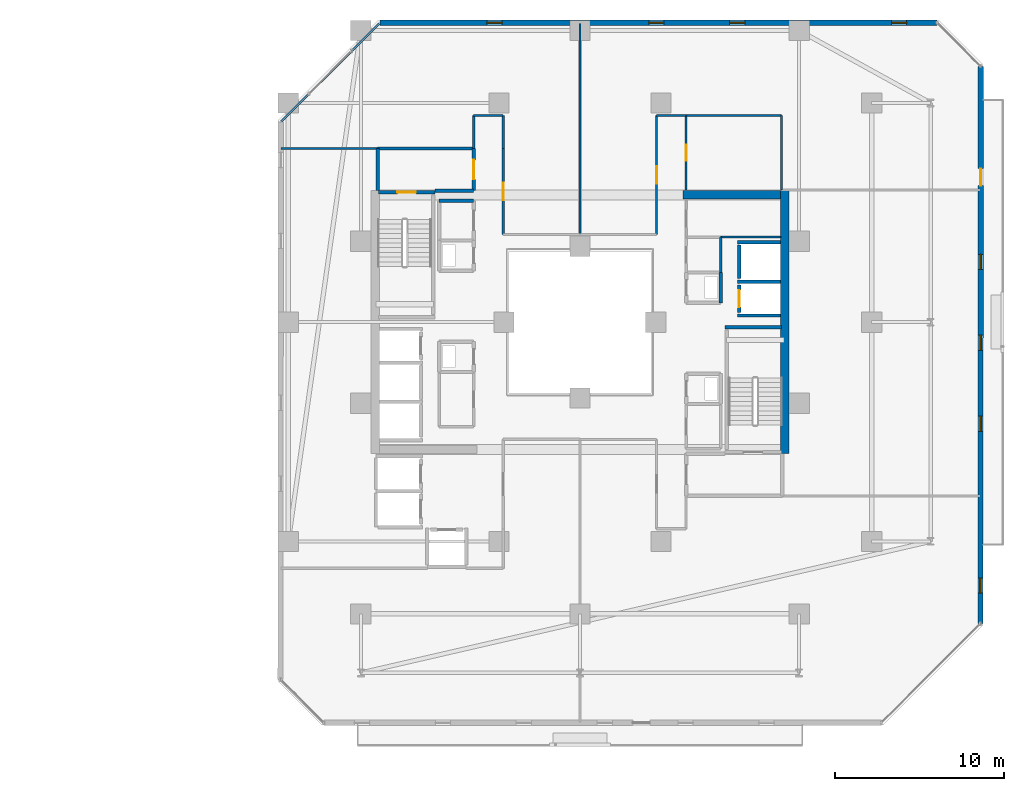
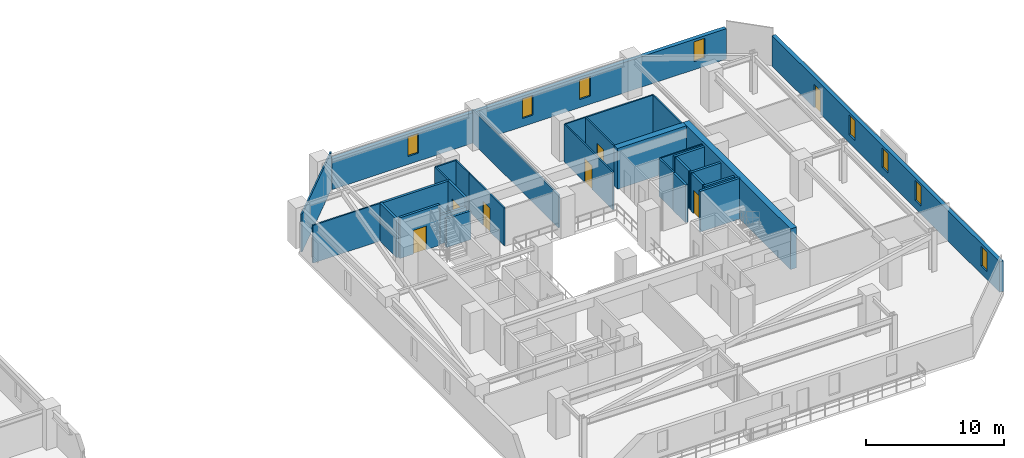
# One storey, part 24 of 32: 31 walls, 8 windows, 7 doors, 15 openings.
"""IFC4 building model written with IfcOpenShell, lengths in metres."""

from ifc_helpers import new_model, si_unit, direction, frame, frame_2d, origin, place, context, subcontext, project, spatial, rectangle, extrude, material, layer, layer_set, type_object, element, fill, save


model = new_model("IFC4")

# Units and contexts
model_context = context("Model", 3, precision=1e-05, world=origin(), true_north=direction((0.0, 1.0)))
body_context = subcontext(model_context, "Body", "Model", "MODEL_VIEW")
ifc_project = project(units=[si_unit("LENGTHUNIT", "METRE"), si_unit("AREAUNIT", "SQUARE_METRE"), si_unit("VOLUMEUNIT", "CUBIC_METRE"), si_unit("PLANEANGLEUNIT", "RADIAN"), si_unit("MASSUNIT", "GRAM", prefix="KILO")], contexts=[model_context])

# Site, building, storey
site_placement = place(None, origin())
site = spatial("IfcSite", under=ifc_project, at=site_placement, CompositionType="ELEMENT")
building_placement = place(site_placement, origin())
building = spatial("IfcBuilding", under=site, at=building_placement, Name="Thornwick Lancets Civic Towers", CompositionType="ELEMENT")
storey_placement = place(building_placement, frame((0.0, 0.0, 123.300048828125)))
storey = spatial("IfcBuildingStorey", under=building, at=storey_placement, Name="L32", CompositionType="ELEMENT", Elevation=123.300048828125)

# Wall, opening, door
ifc_material_1 = material(Name="Concrete blockwork C40/50", Category="masonry")
ifc_layer_1 = layer(ifc_material_1, 0.199951171875, Name="Concrete blockwork C40/50")
ifc_layer_set_1 = layer_set([ifc_layer_1], Name="Concrete blockwork C40/50")
wall_type_1 = type_object("IfcWallType", Name="WALL_COMP_200", PredefinedType="STANDARD", material=ifc_layer_set_1)
wall_1_placement = place(storey_placement, frame((97.949951171875, 29.219970703125, 0.0), z_axis=(0.0, 0.0, 1.0), x_axis=(0.0, -1.0, 0.0)))
wall_1 = element("IfcWall", 1, at=wall_1_placement, inside=storey, type_object=wall_type_1, Name="L32 Hoistway Front Wall FL-B1", PredefinedType="STANDARD", context=body_context, shape_type="SweptSolid", body=[
    extrude(rectangle(XDim=1.639892578125, YDim=0.199951171875, at=frame_2d((0.81982421875, 0.0))), origin(), (0.0, 0.0, 1.0), 3.33984375),
])
opening_1_placement = place(wall_1_placement, frame((0.31005859375, 0.0, 0.0)))
opening_1 = element("IfcOpeningElement", 2, at=opening_1_placement, cuts=wall_1, Name="Opening LD-FL-B1", PredefinedType="OPENING", context=body_context, shape_type="SweptSolid", body=[
    extrude(rectangle(XDim=1.02001953125, YDim=2.06005859375, at=frame_2d((0.510009765625, 1.030029296875))), frame((0.0, 0.10986328125, 0.0), z_axis=(0.0, -1.0, 0.0), x_axis=(1.0, 0.0, 0.0)), (0.0, 0.0, 1.0), 0.219970703125),
])
ifc_material_2 = material(Name="Brushed bronze stainless steel", Category="steel")
door_type_1 = type_object("IfcDoorType", Name="DOOR_LIFT_SLIDE", OperationType="SLIDING_TO_LEFT", PredefinedType="DOOR", material=ifc_material_2)
door_1_placement = place(opening_1_placement, origin())
door_1 = element("IfcDoor", 3, at=door_1_placement, inside=storey, type_object=door_type_1, Name="L32 Sliding Lift Landing Door LD-FL-B1", OperationType="SLIDING_TO_LEFT", OverallHeight=2.06005859375, OverallWidth=1.02001953125, PredefinedType="DOOR", context=body_context, shape_type="SweptSolid", body=[
    extrude(rectangle(XDim=1.02001953125, YDim=2.06005859375, at=frame_2d((0.510009765625, 1.030029296875))), frame((0.0, 0.02490234375, 0.0), z_axis=(0.0, -1.0, 0.0), x_axis=(1.0, 0.0, 0.0)), (0.0, 0.0, 1.0), 0.050048828125),
])
fill(opening_1, door_1)

# Walls
wall_2_placement = place(storey_placement, frame((97.949951171875, 31.570068359375, 0.0), z_axis=(0.0, 0.0, 1.0), x_axis=(0.0, -1.0, 0.0)))
element("IfcWall", 4, at=wall_2_placement, inside=storey, type_object=wall_type_1, Name="L32 Hoistway Front Wall PL-BH1", PredefinedType="STANDARD", context=body_context, shape_type="SweptSolid", body=[
    extrude(rectangle(XDim=1.989990234375, YDim=0.199951171875, at=frame_2d((0.9951171875, 0.0))), origin(), (0.0, 0.0, 1.0), 3.33984375),
])
for number, where, z_axis, x_axis, name in (
    (5, (97.85205078125, 29.39990234375, 0.0), (0.0, 0.0, 1.0), (1.0, 0.0, 0.0), "L32 Hoistway Shaft Wall FL-B1 N"),
    (6, (97.85205078125, 27.39990234375, 0.0), (0.0, 0.0, 1.0), (1.0, 0.0, 0.0), "L32 Hoistway Shaft Wall FL-B1 S"),
    (7, (97.85205078125, 31.75, 0.0), (0.0, 0.0, 1.0), (1.0, 0.0, 0.0), "L32 Hoistway Shaft Wall PL-BH1 N"),
):
    element("IfcWall", number, at=place(storey_placement, frame(where, z_axis=z_axis, x_axis=x_axis)), inside=storey, type_object=wall_type_1, Name=name, PredefinedType="STANDARD", context=body_context, shape_type="SweptSolid", body=[
        extrude(rectangle(XDim=2.535888671875, YDim=0.199951171875, at=frame_2d((1.26806640625, 0.0))), origin(), (0.0, 0.0, 1.0), 3.33984375),
    ])
wall_3_placement = place(storey_placement, frame((79.89990234375, 34.800048828125, 0.0), z_axis=(0.0, 0.0, 1.0), x_axis=(1.0, 0.0, 0.0)))
element("IfcWall", 8, at=wall_3_placement, inside=storey, type_object=wall_type_1, Name="L32 Partition L32-B-FFLOB2 E1", PredefinedType="STANDARD", context=body_context, shape_type="SweptSolid", body=[
    extrude(rectangle(XDim=2.300048828125, YDim=0.199951171875, at=frame_2d((1.14990234375, 0.0))), origin(), (0.0, 0.0, 1.0), 2.544921875),
])

# Wall, opening, door
wall_4_placement = place(storey_placement, frame((82.199951171875, 34.800048828125, 0.0), z_axis=(0.0, 0.0, 1.0), x_axis=(0.0, 1.0, 0.0)))
wall_4 = element("IfcWall", 9, at=wall_4_placement, inside=storey, type_object=wall_type_1, Name="L32 Partition L32-B-FFLOB2 E2", PredefinedType="STANDARD", context=body_context, shape_type="SweptSolid", body=[
    extrude(rectangle(XDim=2.5, YDim=0.199951171875, at=frame_2d((1.25, 0.0))), origin(), (0.0, 0.0, 1.0), 3.33984375),
])
opening_2_placement = place(wall_4_placement, frame((0.675048828125, 0.0, 0.0)))
opening_2 = element("IfcOpeningElement", 10, at=opening_2_placement, cuts=wall_4, Name="Opening D-L32-1469", PredefinedType="OPENING", context=body_context, shape_type="SweptSolid", body=[
    extrude(rectangle(XDim=1.14990234375, YDim=2.10009765625, at=frame_2d((0.574951171875, 1.050048828125))), frame((0.0, 0.10986328125, 0.0), z_axis=(0.0, -1.0, 0.0), x_axis=(1.0, 0.0, 0.0)), (0.0, 0.0, 1.0), 0.219970703125),
])
ifc_material_3 = material(Name="Glazed fire-resisting steel", Category="steel")
door_type_2 = type_object("IfcDoorType", Name="DOOR_LOBBY_FD60", OperationType="NOTDEFINED", PredefinedType="DOOR", material=ifc_material_3)
door_2_placement = place(opening_2_placement, origin())
door_2 = element("IfcDoor", 11, at=door_2_placement, inside=storey, type_object=door_type_2, Name="L32 West Firefighting Lobby 2 Door", OperationType="SINGLE_SWING_RIGHT", OverallHeight=2.10009765625, OverallWidth=1.14990234375, PredefinedType="DOOR", context=body_context, shape_type="SweptSolid", body=[
    extrude(rectangle(XDim=1.14990234375, YDim=2.10009765625, at=frame_2d((0.574951171875, 1.050048828125))), frame((0.0, 0.02490234375, 0.0), z_axis=(0.0, -1.0, 0.0), x_axis=(1.0, 0.0, 0.0)), (0.0, 0.0, 1.0), 0.050048828125),
])
fill(opening_2, door_2)

# Walls
wall_5_placement = place(storey_placement, frame((82.199951171875, 37.300048828125, 0.0), z_axis=(0.0, 0.0, 1.0), x_axis=(-1.0, 0.0, 0.0)))
element("IfcWall", 12, at=wall_5_placement, inside=storey, type_object=wall_type_1, Name="L32 Partition L32-B-FFLOB2 E3", PredefinedType="STANDARD", context=body_context, shape_type="SweptSolid", body=[
    extrude(rectangle(XDim=5.699951171875, YDim=0.199951171875, at=frame_2d((2.85009765625, 0.0))), origin(), (0.0, 0.0, 1.0), 3.33984375),
])
wall_6_placement = place(storey_placement, frame((76.5, 37.300048828125, 0.0), z_axis=(0.0, 0.0, 1.0), x_axis=(0.0, -1.0, 0.0)))
element("IfcWall", 13, at=wall_6_placement, inside=storey, type_object=wall_type_1, Name="L32 Partition L32-B-FFLOB2 E4", PredefinedType="STANDARD", context=body_context, shape_type="SweptSolid", body=[
    extrude(rectangle(XDim=2.5, YDim=0.199951171875, at=frame_2d((1.25, 0.0))), origin(), (0.0, 0.0, 1.0), 3.33984375),
])
wall_7_placement = place(storey_placement, frame((96.85009765625, 28.14990234375, 0.0), z_axis=(0.0, 0.0, 1.0), x_axis=(0.0, 1.0, 0.0)))
element("IfcWall", 14, at=wall_7_placement, inside=storey, type_object=wall_type_1, Name="L32 Partition L32-B-DUCT1 E2", PredefinedType="STANDARD", context=body_context, shape_type="SweptSolid", body=[
    extrude(rectangle(XDim=1.800048828125, YDim=0.199951171875, at=frame_2d((0.89990234375, 0.0))), origin(), (0.0, 0.0, 1.0), 3.33984375),
])
wall_8_placement = place(storey_placement, frame((80.14990234375, 34.199951171875, 0.0), z_axis=(0.0, 0.0, 1.0), x_axis=(1.0, 0.0, 0.0)))
element("IfcWall", 15, at=wall_8_placement, inside=storey, type_object=wall_type_1, Name="L32 Partition L32-B-STR E2", PredefinedType="STANDARD", context=body_context, shape_type="SweptSolid", body=[
    extrude(rectangle(XDim=2.050048828125, YDim=0.199951171875, at=frame_2d((1.02490234375, 0.0))), origin(), (0.0, 0.0, 1.0), 2.544921875),
])
ifc_material_4 = material(Name="Concrete C50/60", Category="concrete")
ifc_layer_2 = layer(ifc_material_4, 0.5, Name="Concrete C50/60")
ifc_layer_set_2 = layer_set([ifc_layer_2], Name="Concrete C50/60")
wall_type_2 = type_object("IfcWallType", Name="WALL_CORE_500", PredefinedType="SHEAR", material=ifc_layer_set_2)
wall_9_placement = place(storey_placement, frame((100.64990234375, 19.199951171875, 0.0), z_axis=(0.0, 0.0, 1.0), x_axis=(0.0, 1.0, 0.0)))
element("IfcWall", 16, at=wall_9_placement, inside=storey, type_object=wall_type_2, Name="L32 Split Core B1 Shear Wall E", PredefinedType="SHEAR", context=body_context, shape_type="SweptSolid", body=[
    extrude(rectangle(XDim=15.60009765625, YDim=0.5, at=frame_2d((7.800048828125, 0.0))), origin(), (0.0, 0.0, 1.0), 3.599853515625),
])
wall_10_placement = place(storey_placement, frame((94.60009765625, 34.550048828125, 0.0), z_axis=(0.0, 0.0, 1.0), x_axis=(1.0, 0.0, 0.0)))
element("IfcWall", 17, at=wall_10_placement, inside=storey, type_object=wall_type_2, Name="L32 Split Core B1 Shear Wall N", PredefinedType="SHEAR", context=body_context, shape_type="SweptSolid", body=[
    extrude(rectangle(XDim=5.7998046875, YDim=0.5, at=frame_2d((2.89990234375, 0.0))), origin(), (0.0, 0.0, 1.0), 3.599853515625),
])

# Wall, openings, door, windows
ifc_material_5 = material(Name="Insulated buff terracotta rainscreen on concrete C40/50", Category="masonry")
ifc_layer_3 = layer(ifc_material_5, 0.320068359375, Name="Insulated buff terracotta rainscreen on concrete C40/50")
ifc_layer_set_3 = layer_set([ifc_layer_3], Name="Insulated buff terracotta rainscreen on concrete C40/50")
wall_type_3 = type_object("IfcWallType", Name="WALL_EXT_TERRA_320", PredefinedType="STANDARD", material=ifc_layer_set_3)
wall_11_placement = place(storey_placement, frame((112.253662109375, 9.127685546875, 0.0), z_axis=(0.0, 0.0, 1.0), x_axis=(0.000332378036, 0.999999944762, 0.0)))
wall_11 = element("IfcWall", 18, at=wall_11_placement, inside=storey, type_object=wall_type_3, Name="L32 Tower B Terracotta Facade Wall E2", PredefinedType="STANDARD", context=body_context, shape_type="SweptSolid", body=[
    extrude(rectangle(XDim=33.0537109375, YDim=0.320068359375, at=frame_2d((16.52685546875, 0.0))), origin(), (0.0, 0.0, 1.0), 2.699951171875),
])
opening_3_placement = place(wall_11_placement, frame((25.976806640625, 0.0, 0.0)))
opening_3 = element("IfcOpeningElement", 19, at=opening_3_placement, cuts=wall_11, Name="Opening D-BL-L32-BE", PredefinedType="OPENING", context=body_context, shape_type="SweptSolid", body=[
    extrude(rectangle(XDim=1.0, YDim=2.080078125, at=frame_2d((0.5, 1.0400390625))), frame((0.0, 0.169921875, 0.0), z_axis=(0.0, -1.0, 0.0), x_axis=(1.0, 0.0, 0.0)), (0.0, 0.0, 1.0), 0.340087890625),
])
opening_4_placement = place(wall_11_placement, frame((1.800048828125, 0.0, 0.719970703125)))
opening_4 = element("IfcOpeningElement", 20, at=opening_4_placement, cuts=wall_11, Name="Opening WL-01", PredefinedType="OPENING", context=body_context, shape_type="SweptSolid", body=[
    extrude(rectangle(XDim=0.89990234375, YDim=1.75, at=frame_2d((0.449951171875, 0.875))), frame((0.0, 0.169921875, 0.0), z_axis=(0.0, -1.0, 0.0), x_axis=(1.0, 0.0, 0.0)), (0.0, 0.0, 1.0), 0.340087890625),
])
opening_5_placement = place(wall_11_placement, frame((11.39990234375, 0.0, 0.719970703125)))
opening_5 = element("IfcOpeningElement", 21, at=opening_5_placement, cuts=wall_11, Name="Opening WL-01", PredefinedType="OPENING", context=body_context, shape_type="SweptSolid", body=[
    extrude(rectangle(XDim=0.89990234375, YDim=1.75, at=frame_2d((0.449951171875, 0.875))), frame((0.0, 0.169921875, 0.0), z_axis=(0.0, -1.0, 0.0), x_axis=(1.0, 0.0, 0.0)), (0.0, 0.0, 1.0), 0.340087890625),
])
opening_6_placement = place(wall_11_placement, frame((16.199951171875, 0.0, 0.719970703125)))
opening_6 = element("IfcOpeningElement", 22, at=opening_6_placement, cuts=wall_11, Name="Opening WL-01", PredefinedType="OPENING", context=body_context, shape_type="SweptSolid", body=[
    extrude(rectangle(XDim=0.89990234375, YDim=1.75, at=frame_2d((0.449951171875, 0.875))), frame((0.0, 0.169921875, 0.0), z_axis=(0.0, -1.0, 0.0), x_axis=(1.0, 0.0, 0.0)), (0.0, 0.0, 1.0), 0.340087890625),
])
opening_7_placement = place(wall_11_placement, frame((21.0, 0.0, 0.719970703125)))
opening_7 = element("IfcOpeningElement", 23, at=opening_7_placement, cuts=wall_11, Name="Opening WL-01", PredefinedType="OPENING", context=body_context, shape_type="SweptSolid", body=[
    extrude(rectangle(XDim=0.89990234375, YDim=1.75, at=frame_2d((0.449951171875, 0.875))), frame((0.0, 0.169921875, 0.0), z_axis=(0.0, -1.0, 0.0), x_axis=(1.0, 0.0, 0.0)), (0.0, 0.0, 1.0), 0.340087890625),
])
ifc_material_6 = material(Name="Thermally broken glazed loggia doorset")
door_type_3 = type_object("IfcDoorType", Name="DOOR_BALC_1000", OperationType="NOTDEFINED", PredefinedType="DOOR", material=ifc_material_6)
door_3_placement = place(opening_3_placement, origin())
door_3 = element("IfcDoor", 24, at=door_3_placement, inside=storey, type_object=door_type_3, Name="L32 Tower B Loggia Balcony Door E", OperationType="SINGLE_SWING_LEFT", OverallHeight=2.080078125, OverallWidth=1.0, PredefinedType="DOOR", context=body_context, shape_type="SweptSolid", body=[
    extrude(rectangle(XDim=1.0, YDim=2.080078125, at=frame_2d((0.5, 1.0400390625))), frame((0.0, 0.02490234375, 0.0), z_axis=(0.0, -1.0, 0.0), x_axis=(1.0, 0.0, 0.0)), (0.0, 0.0, 1.0), 0.050048828125),
])
fill(opening_3, door_3)
ifc_material_7 = material(Name="Clear low-e double glazing in bronze frame", Category="glass")
window_type = type_object("IfcWindowType", Name="WIN_LANCET_900", PartitioningType="SINGLE_PANEL", PredefinedType="WINDOW", material=ifc_material_7)
window_1_placement = place(opening_4_placement, origin())
window_1 = element("IfcWindow", 25, at=window_1_placement, inside=storey, type_object=window_type, Name="L32 Tower B Staggered Lancet Window E2-1", OverallHeight=1.75, OverallWidth=0.89990234375, PartitioningType="SINGLE_PANEL", PredefinedType="WINDOW", context=body_context, shape_type="SweptSolid", body=[
    extrude(rectangle(XDim=0.89990234375, YDim=1.75, at=frame_2d((0.449951171875, 0.875))), frame((0.0, 0.030029296875, 0.0), z_axis=(0.0, -1.0, 0.0), x_axis=(1.0, 0.0, 0.0)), (0.0, 0.0, 1.0), 0.06005859375),
])
fill(opening_4, window_1)
window_2_placement = place(opening_5_placement, origin())
window_2 = element("IfcWindow", 26, at=window_2_placement, inside=storey, type_object=window_type, Name="L32 Tower B Staggered Lancet Window E2-2", OverallHeight=1.75, OverallWidth=0.89990234375, PartitioningType="SINGLE_PANEL", PredefinedType="WINDOW", context=body_context, shape_type="SweptSolid", body=[
    extrude(rectangle(XDim=0.89990234375, YDim=1.75, at=frame_2d((0.449951171875, 0.875))), frame((0.0, 0.030029296875, 0.0), z_axis=(0.0, -1.0, 0.0), x_axis=(1.0, 0.0, 0.0)), (0.0, 0.0, 1.0), 0.06005859375),
])
fill(opening_5, window_2)
window_3_placement = place(opening_6_placement, origin())
window_3 = element("IfcWindow", 27, at=window_3_placement, inside=storey, type_object=window_type, Name="L32 Tower B Staggered Lancet Window E2-3", OverallHeight=1.75, OverallWidth=0.89990234375, PartitioningType="SINGLE_PANEL", PredefinedType="WINDOW", context=body_context, shape_type="SweptSolid", body=[
    extrude(rectangle(XDim=0.89990234375, YDim=1.75, at=frame_2d((0.449951171875, 0.875))), frame((0.0, 0.030029296875, 0.0), z_axis=(0.0, -1.0, 0.0), x_axis=(1.0, 0.0, 0.0)), (0.0, 0.0, 1.0), 0.06005859375),
])
fill(opening_6, window_3)
window_4_placement = place(opening_7_placement, origin())
window_4 = element("IfcWindow", 28, at=window_4_placement, inside=storey, type_object=window_type, Name="L32 Tower B Staggered Lancet Window E2-4", OverallHeight=1.75, OverallWidth=0.89990234375, PartitioningType="SINGLE_PANEL", PredefinedType="WINDOW", context=body_context, shape_type="SweptSolid", body=[
    extrude(rectangle(XDim=0.89990234375, YDim=1.75, at=frame_2d((0.449951171875, 0.875))), frame((0.0, 0.030029296875, 0.0), z_axis=(0.0, -1.0, 0.0), x_axis=(1.0, 0.0, 0.0)), (0.0, 0.0, 1.0), 0.06005859375),
])
fill(opening_7, window_4)

# Wall, openings, windows
wall_12_placement = place(storey_placement, frame((109.681396484375, 44.7646484375, 0.0), z_axis=(0.0, 0.0, 1.0), x_axis=(-0.999999944762, -0.000332378036, 0.0)))
wall_12 = element("IfcWall", 29, at=wall_12_placement, inside=storey, type_object=wall_type_3, Name="L32 Tower B Terracotta Facade Wall E4", PredefinedType="STANDARD", context=body_context, shape_type="SweptSolid", body=[
    extrude(rectangle(XDim=33.0537109375, YDim=0.320068359375, at=frame_2d((16.52685546875, 0.0))), origin(), (0.0, 0.0, 1.0), 2.699951171875),
])
opening_8_placement = place(wall_12_placement, frame((1.800048828125, 0.0, 0.719970703125)))
opening_8 = element("IfcOpeningElement", 30, at=opening_8_placement, cuts=wall_12, Name="Opening WL-01", PredefinedType="OPENING", context=body_context, shape_type="SweptSolid", body=[
    extrude(rectangle(XDim=0.89990234375, YDim=1.75, at=frame_2d((0.449951171875, 0.875))), frame((0.0, 0.169921875, 0.0), z_axis=(0.0, -1.0, 0.0), x_axis=(1.0, 0.0, 0.0)), (0.0, 0.0, 1.0), 0.340087890625),
])
opening_9_placement = place(wall_12_placement, frame((11.39990234375, 0.0, 0.719970703125)))
opening_9 = element("IfcOpeningElement", 31, at=opening_9_placement, cuts=wall_12, Name="Opening WL-01", PredefinedType="OPENING", context=body_context, shape_type="SweptSolid", body=[
    extrude(rectangle(XDim=0.89990234375, YDim=1.75, at=frame_2d((0.449951171875, 0.875))), frame((0.0, 0.169921875, 0.0), z_axis=(0.0, -1.0, 0.0), x_axis=(1.0, 0.0, 0.0)), (0.0, 0.0, 1.0), 0.340087890625),
])
opening_10_placement = place(wall_12_placement, frame((16.199951171875, 0.0, 0.719970703125)))
opening_10 = element("IfcOpeningElement", 32, at=opening_10_placement, cuts=wall_12, Name="Opening WL-01", PredefinedType="OPENING", context=body_context, shape_type="SweptSolid", body=[
    extrude(rectangle(XDim=0.89990234375, YDim=1.75, at=frame_2d((0.449951171875, 0.875))), frame((0.0, 0.169921875, 0.0), z_axis=(0.0, -1.0, 0.0), x_axis=(1.0, 0.0, 0.0)), (0.0, 0.0, 1.0), 0.340087890625),
])
opening_11_placement = place(wall_12_placement, frame((25.800048828125, 0.0, 0.719970703125)))
opening_11 = element("IfcOpeningElement", 33, at=opening_11_placement, cuts=wall_12, Name="Opening WL-01", PredefinedType="OPENING", context=body_context, shape_type="SweptSolid", body=[
    extrude(rectangle(XDim=0.89990234375, YDim=1.75, at=frame_2d((0.449951171875, 0.875))), frame((0.0, 0.169921875, 0.0), z_axis=(0.0, -1.0, 0.0), x_axis=(1.0, 0.0, 0.0)), (0.0, 0.0, 1.0), 0.340087890625),
])
window_5_placement = place(opening_8_placement, origin())
window_5 = element("IfcWindow", 34, at=window_5_placement, inside=storey, type_object=window_type, Name="L32 Tower B Staggered Lancet Window E4-1", OverallHeight=1.75, OverallWidth=0.89990234375, PartitioningType="SINGLE_PANEL", PredefinedType="WINDOW", context=body_context, shape_type="SweptSolid", body=[
    extrude(rectangle(XDim=0.89990234375, YDim=1.75, at=frame_2d((0.449951171875, 0.875))), frame((0.0, 0.030029296875, 0.0), z_axis=(0.0, -1.0, 0.0), x_axis=(1.0, 0.0, 0.0)), (0.0, 0.0, 1.0), 0.06005859375),
])
fill(opening_8, window_5)
window_6_placement = place(opening_9_placement, origin())
window_6 = element("IfcWindow", 35, at=window_6_placement, inside=storey, type_object=window_type, Name="L32 Tower B Staggered Lancet Window E4-2", OverallHeight=1.75, OverallWidth=0.89990234375, PartitioningType="SINGLE_PANEL", PredefinedType="WINDOW", context=body_context, shape_type="SweptSolid", body=[
    extrude(rectangle(XDim=0.89990234375, YDim=1.75, at=frame_2d((0.449951171875, 0.875))), frame((0.0, 0.030029296875, 0.0), z_axis=(0.0, -1.0, 0.0), x_axis=(1.0, 0.0, 0.0)), (0.0, 0.0, 1.0), 0.06005859375),
])
fill(opening_9, window_6)
window_7_placement = place(opening_10_placement, origin())
window_7 = element("IfcWindow", 36, at=window_7_placement, inside=storey, type_object=window_type, Name="L32 Tower B Staggered Lancet Window E4-3", OverallHeight=1.75, OverallWidth=0.89990234375, PartitioningType="SINGLE_PANEL", PredefinedType="WINDOW", context=body_context, shape_type="SweptSolid", body=[
    extrude(rectangle(XDim=0.89990234375, YDim=1.75, at=frame_2d((0.449951171875, 0.875))), frame((0.0, 0.030029296875, 0.0), z_axis=(0.0, -1.0, 0.0), x_axis=(1.0, 0.0, 0.0)), (0.0, 0.0, 1.0), 0.06005859375),
])
fill(opening_10, window_7)
window_8_placement = place(opening_11_placement, origin())
window_8 = element("IfcWindow", 37, at=window_8_placement, inside=storey, type_object=window_type, Name="L32 Tower B Staggered Lancet Window E4-4", OverallHeight=1.75, OverallWidth=0.89990234375, PartitioningType="SINGLE_PANEL", PredefinedType="WINDOW", context=body_context, shape_type="SweptSolid", body=[
    extrude(rectangle(XDim=0.89990234375, YDim=1.75, at=frame_2d((0.449951171875, 0.875))), frame((0.0, 0.030029296875, 0.0), z_axis=(0.0, -1.0, 0.0), x_axis=(1.0, 0.0, 0.0)), (0.0, 0.0, 1.0), 0.06005859375),
])
fill(opening_11, window_8)

# Walls
ifc_material_8 = material(Name="Lightweight cellular office partition")
ifc_layer_4 = layer(ifc_material_8, 0.10009765625, Name="Lightweight cellular office partition")
ifc_layer_set_4 = layer_set([ifc_layer_4], Name="Lightweight cellular office partition")
wall_type_4 = type_object("IfcWallType", Name="WALL_PART_100", PredefinedType="PARTITIONING", material=ifc_layer_set_4)
wall_13_placement = place(storey_placement, frame((100.39990234375, 32.050048828125, 0.0), z_axis=(0.0, 0.0, 1.0), x_axis=(-1.0, 0.0, 0.0)))
element("IfcWall", 38, at=wall_13_placement, inside=storey, type_object=wall_type_4, Name="L32 Partition L32-B-CLN E4", PredefinedType="PARTITIONING", context=body_context, shape_type="SweptSolid", body=[
    extrude(rectangle(XDim=3.5498046875, YDim=0.10009765625, at=frame_2d((1.77490234375, 0.0))), origin(), (0.0, 0.0, 1.0), 3.33984375),
])
ifc_material_9 = material(Name="Acoustic gypsum board partition")
ifc_layer_5 = layer(ifc_material_9, 0.1201171875, Name="Acoustic gypsum board partition")
ifc_layer_set_5 = layer_set([ifc_layer_5], Name="Acoustic gypsum board partition")
wall_type_5 = type_object("IfcWallType", Name="WALL_PART_120", PredefinedType="PARTITIONING", material=ifc_layer_set_5)
wall_14_placement = place(storey_placement, frame((100.449951171875, 39.25, 0.0), z_axis=(0.0, 0.0, 1.0), x_axis=(0.0, -1.0, 0.0)))
element("IfcWall", 39, at=wall_14_placement, inside=storey, type_object=wall_type_5, Name="L32 Partition L32-B-RECLAIM-L1 E1", PredefinedType="PARTITIONING", context=body_context, shape_type="SweptSolid", body=[
    extrude(rectangle(XDim=4.39990234375, YDim=0.1201171875, at=frame_2d((2.199951171875, 0.0))), origin(), (0.0, 0.0, 1.0), 3.33984375),
])

# Wall, opening, door
wall_15_placement = place(storey_placement, frame((94.800048828125, 34.85009765625, 0.0), z_axis=(0.0, 0.0, 1.0), x_axis=(0.0, 1.0, 0.0)))
wall_15 = element("IfcWall", 40, at=wall_15_placement, inside=storey, type_object=wall_type_5, Name="L32 Partition L32-B-RECLAIM-L1 E3", PredefinedType="PARTITIONING", context=body_context, shape_type="SweptSolid", body=[
    extrude(rectangle(XDim=4.39990234375, YDim=0.1201171875, at=frame_2d((2.199951171875, 0.0))), origin(), (0.0, 0.0, 1.0), 3.33984375),
])
opening_12_placement = place(wall_15_placement, frame((1.72509765625, 0.0, 0.0)))
opening_12 = element("IfcOpeningElement", 41, at=opening_12_placement, cuts=wall_15, Name="Opening D-L32-1484", PredefinedType="OPENING", context=body_context, shape_type="SweptSolid", body=[
    extrude(rectangle(XDim=0.949951171875, YDim=2.10009765625, at=frame_2d((0.47509765625, 1.050048828125))), frame((0.0, 0.070068359375, 0.0), z_axis=(0.0, -1.0, 0.0), x_axis=(1.0, 0.0, 0.0)), (0.0, 0.0, 1.0), 0.14013671875),
])
ifc_material_10 = material(Name="European oak acoustic doorset")
door_type_4 = type_object("IfcDoorType", Name="DOOR_OFFICE_950", OperationType="NOTDEFINED", PredefinedType="DOOR", material=ifc_material_10)
door_4_placement = place(opening_12_placement, origin())
door_4 = element("IfcDoor", 42, at=door_4_placement, inside=storey, type_object=door_type_4, Name="L32 Tower B Policy Archive and Library Door", OperationType="SINGLE_SWING_LEFT", OverallHeight=2.10009765625, OverallWidth=0.949951171875, PredefinedType="DOOR", context=body_context, shape_type="SweptSolid", body=[
    extrude(rectangle(XDim=0.949951171875, YDim=2.10009765625, at=frame_2d((0.47509765625, 1.050048828125))), frame((0.0, 0.02490234375, 0.0), z_axis=(0.0, -1.0, 0.0), x_axis=(1.0, 0.0, 0.0)), (0.0, 0.0, 1.0), 0.050048828125),
])
fill(opening_12, door_4)

# Walls
wall_16_placement = place(storey_placement, frame((94.800048828125, 39.25, 0.0), z_axis=(0.0, 0.0, 1.0), x_axis=(1.0, 0.0, 0.0)))
element("IfcWall", 43, at=wall_16_placement, inside=storey, type_object=wall_type_5, Name="L32 Partition L32-B-RECLAIM-L1 E4", PredefinedType="PARTITIONING", context=body_context, shape_type="SweptSolid", body=[
    extrude(rectangle(XDim=5.64990234375, YDim=0.1201171875, at=frame_2d((2.824951171875, 0.0))), origin(), (0.0, 0.0, 1.0), 3.33984375),
])
wall_17_placement = place(storey_placement, frame((94.800048828125, 39.25, 0.0), z_axis=(0.0, 0.0, 1.0), x_axis=(-1.0, 0.0, 0.0)))
element("IfcWall", 44, at=wall_17_placement, inside=storey, type_object=wall_type_5, Name="L32 Partition L32-B-E1 E3", PredefinedType="PARTITIONING", context=body_context, shape_type="SweptSolid", body=[
    extrude(rectangle(XDim=1.75, YDim=0.1201171875, at=frame_2d((0.875, 0.0))), origin(), (0.0, 0.0, 1.0), 3.33984375),
])

# Wall, opening, door
wall_18_placement = place(storey_placement, frame((93.050048828125, 39.25, 0.0), z_axis=(0.0, 0.0, 1.0), x_axis=(0.0, -1.0, 0.0)))
wall_18 = element("IfcWall", 45, at=wall_18_placement, inside=storey, type_object=wall_type_5, Name="L32 Partition L32-B-E1 E4", PredefinedType="PARTITIONING", context=body_context, shape_type="SweptSolid", body=[
    extrude(rectangle(XDim=7.050048828125, YDim=0.1201171875, at=frame_2d((3.52490234375, 0.0))), origin(), (0.0, 0.0, 1.0), 3.33984375),
])
opening_13_placement = place(wall_18_placement, frame((3.0, 0.0, 0.0)))
opening_13 = element("IfcOpeningElement", 46, at=opening_13_placement, cuts=wall_18, Name="Opening D-L32-1487", PredefinedType="OPENING", context=body_context, shape_type="SweptSolid", body=[
    extrude(rectangle(XDim=1.050048828125, YDim=2.10009765625, at=frame_2d((0.52490234375, 1.050048828125))), frame((0.0, 0.070068359375, 0.0), z_axis=(0.0, -1.0, 0.0), x_axis=(1.0, 0.0, 0.0)), (0.0, 0.0, 1.0), 0.14013671875),
])
ifc_material_11 = material(Name="Glazed European oak executive doorset")
door_type_5 = type_object("IfcDoorType", Name="DOOR_OFFICE_1050", OperationType="NOTDEFINED", PredefinedType="DOOR", material=ifc_material_11)
door_5_placement = place(opening_13_placement, origin())
door_5 = element("IfcDoor", 47, at=door_5_placement, inside=storey, type_object=door_type_5, Name="L32 Tower B Secretariat Open Office E1 Door", OperationType="SINGLE_SWING_RIGHT", OverallHeight=2.10009765625, OverallWidth=1.050048828125, PredefinedType="DOOR", context=body_context, shape_type="SweptSolid", body=[
    extrude(rectangle(XDim=1.050048828125, YDim=2.10009765625, at=frame_2d((0.52490234375, 1.050048828125))), frame((0.0, 0.02490234375, 0.0), z_axis=(0.0, -1.0, 0.0), x_axis=(1.0, 0.0, 0.0)), (0.0, 0.0, 1.0), 0.050048828125),
])
fill(opening_13, door_5)

# Wall
wall_19_placement = place(storey_placement, frame((88.5, 32.199951171875, 0.0), z_axis=(0.0, 0.0, 1.0), x_axis=(0.0, 1.0, 0.0)))
element("IfcWall", 48, at=wall_19_placement, inside=storey, type_object=wall_type_5, Name="L32 Partition L32-B-E1 E6", PredefinedType="PARTITIONING", context=body_context, shape_type="SweptSolid", body=[
    extrude(rectangle(XDim=12.52001953125, YDim=0.1201171875, at=frame_2d((6.260009765625, 0.0))), origin(), (0.0, 0.0, 1.0), 2.93212890625),
])

# Wall, opening, door
wall_20_placement = place(storey_placement, frame((83.949951171875, 32.199951171875, 0.0), z_axis=(0.0, 0.0, 1.0), x_axis=(0.0, 1.0, 0.0)))
wall_20 = element("IfcWall", 49, at=wall_20_placement, inside=storey, type_object=wall_type_5, Name="L32 Partition L32-B-E3 E1", PredefinedType="PARTITIONING", context=body_context, shape_type="SweptSolid", body=[
    extrude(rectangle(XDim=5.10009765625, YDim=0.1201171875, at=frame_2d((2.550048828125, 0.0))), origin(), (0.0, 0.0, 1.0), 3.33984375),
])
opening_14_placement = place(wall_20_placement, frame((2.02490234375, 0.0, 0.0)))
opening_14 = element("IfcOpeningElement", 50, at=opening_14_placement, cuts=wall_20, Name="Opening D-L32-1488", PredefinedType="OPENING", context=body_context, shape_type="SweptSolid", body=[
    extrude(rectangle(XDim=1.050048828125, YDim=2.10009765625, at=frame_2d((0.52490234375, 1.050048828125))), frame((0.0, 0.070068359375, 0.0), z_axis=(0.0, -1.0, 0.0), x_axis=(1.0, 0.0, 0.0)), (0.0, 0.0, 1.0), 0.14013671875),
])
door_6_placement = place(opening_14_placement, origin())
door_6 = element("IfcDoor", 51, at=door_6_placement, inside=storey, type_object=door_type_5, Name="L32 Tower B Civic Seminar Room Door", OperationType="SINGLE_SWING_LEFT", OverallHeight=2.10009765625, OverallWidth=1.050048828125, PredefinedType="DOOR", context=body_context, shape_type="SweptSolid", body=[
    extrude(rectangle(XDim=1.050048828125, YDim=2.10009765625, at=frame_2d((0.52490234375, 1.050048828125))), frame((0.0, 0.02490234375, 0.0), z_axis=(0.0, -1.0, 0.0), x_axis=(1.0, 0.0, 0.0)), (0.0, 0.0, 1.0), 0.050048828125),
])
fill(opening_14, door_6)

# Walls
wall_21_placement = place(storey_placement, frame((83.949951171875, 37.300048828125, 0.0), z_axis=(0.0, 0.0, 1.0), x_axis=(0.0, 1.0, 0.0)))
element("IfcWall", 52, at=wall_21_placement, inside=storey, type_object=wall_type_5, Name="L32 Partition L32-B-E3 E2", PredefinedType="PARTITIONING", context=body_context, shape_type="SweptSolid", body=[
    extrude(rectangle(XDim=1.949951171875, YDim=0.1201171875, at=frame_2d((0.97509765625, 0.0))), origin(), (0.0, 0.0, 1.0), 3.33984375),
])
wall_22_placement = place(storey_placement, frame((83.949951171875, 39.25, 0.0), z_axis=(0.0, 0.0, 1.0), x_axis=(-1.0, 0.0, 0.0)))
element("IfcWall", 53, at=wall_22_placement, inside=storey, type_object=wall_type_5, Name="L32 Partition L32-B-E3 E3", PredefinedType="PARTITIONING", context=body_context, shape_type="SweptSolid", body=[
    extrude(rectangle(XDim=1.75, YDim=0.1201171875, at=frame_2d((0.875, 0.0))), origin(), (0.0, 0.0, 1.0), 3.33984375),
])
wall_23_placement = place(storey_placement, frame((82.199951171875, 39.25, 0.0), z_axis=(0.0, 0.0, 1.0), x_axis=(0.0, -1.0, 0.0)))
element("IfcWall", 54, at=wall_23_placement, inside=storey, type_object=wall_type_5, Name="L32 Partition L32-B-E3 E4", PredefinedType="PARTITIONING", context=body_context, shape_type="SweptSolid", body=[
    extrude(rectangle(XDim=1.949951171875, YDim=0.1201171875, at=frame_2d((0.97509765625, 0.0))), origin(), (0.0, 0.0, 1.0), 3.33984375),
])
wall_24_placement = place(storey_placement, frame((76.5, 37.300048828125, 0.0), z_axis=(0.0, 0.0, 1.0), x_axis=(-1.0, 0.0, 0.0)))
element("IfcWall", 55, at=wall_24_placement, inside=storey, type_object=wall_type_5, Name="L32 Partition L32-B-E3 E6", PredefinedType="PARTITIONING", context=body_context, shape_type="SweptSolid", body=[
    extrude(rectangle(XDim=5.719970703125, YDim=0.1201171875, at=frame_2d((2.85986328125, 0.0))), origin(), (0.0, 0.0, 1.0), 3.33984375),
])
wall_25_placement = place(storey_placement, frame((70.780029296875, 38.90234375, 0.0), z_axis=(0.0, 0.0, 1.0), x_axis=(0.707106781187, 0.707106781187, 0.0)))
element("IfcWall", 56, at=wall_25_placement, inside=storey, type_object=wall_type_5, Name="L32 Partition L32-B-E3 E8", PredefinedType="PARTITIONING", context=body_context, shape_type="SweptSolid", body=[
    extrude(rectangle(XDim=8.227294921875, YDim=0.1201171875, at=frame_2d((4.11376953125, 0.0))), origin(), (0.0, 0.0, 1.0), 3.33984375),
])
ifc_material_12 = material(Name="Twin-stud acoustic gypsum board")
ifc_layer_6 = layer(ifc_material_12, 0.14990234375, Name="Twin-stud acoustic gypsum board")
ifc_layer_set_6 = layer_set([ifc_layer_6], Name="Twin-stud acoustic gypsum board")
wall_type_6 = type_object("IfcWallType", Name="WALL_PART_150", PredefinedType="PARTITIONING", material=ifc_layer_set_6)
wall_26_placement = place(storey_placement, frame((96.85009765625, 32.050048828125, 0.0), z_axis=(0.0, 0.0, 1.0), x_axis=(0.0, -1.0, 0.0)))
element("IfcWall", 57, at=wall_26_placement, inside=storey, type_object=wall_type_6, Name="L32 Partition L32-B-MWC E3", PredefinedType="PARTITIONING", context=body_context, shape_type="SweptSolid", body=[
    extrude(rectangle(XDim=2.10009765625, YDim=0.14990234375, at=frame_2d((1.050048828125, 0.0))), origin(), (0.0, 0.0, 1.0), 3.33984375),
])
ifc_material_13 = material(Name="Concrete C40/50", Category="concrete")
ifc_layer_7 = layer(ifc_material_13, 0.199951171875, Name="Concrete C40/50")
ifc_layer_set_7 = layer_set([ifc_layer_7], Name="Concrete C40/50")
wall_type_7 = type_object("IfcWallType", Name="WALL_SHAFT_200", PredefinedType="SHEAR", material=ifc_layer_set_7)
wall_27_placement = place(storey_placement, frame((97.10009765625, 26.699951171875, 0.0), z_axis=(0.0, 0.0, 1.0), x_axis=(1.0, 0.0, 0.0)))
element("IfcWall", 58, at=wall_27_placement, inside=storey, type_object=wall_type_7, Name="L32 ST-B1 Fire Stair Core Wall FAR", PredefinedType="SHEAR", context=body_context, shape_type="SweptSolid", body=[
    extrude(rectangle(XDim=3.349853515625, YDim=0.199951171875, at=frame_2d((1.6748046875, 0.0))), origin(), (0.0, 0.0, 1.0), 3.599853515625),
])

# Wall, opening, door
wall_28_placement = place(storey_placement, frame((76.550048828125, 34.699951171875, 0.0), z_axis=(0.0, 0.0, 1.0), x_axis=(1.0, 0.0, 0.0)))
wall_28 = element("IfcWall", 59, at=wall_28_placement, inside=storey, type_object=wall_type_7, Name="L32 ST-B2 Fire Stair Core Wall NEAR", PredefinedType="SHEAR", context=body_context, shape_type="SweptSolid", body=[
    extrude(rectangle(XDim=3.349853515625, YDim=0.199951171875, at=frame_2d((1.6748046875, 0.0))), origin(), (0.0, 0.0, 1.0), 3.599853515625),
])
opening_15_placement = place(wall_28_placement, frame((1.125, 0.0, 0.0)))
opening_15 = element("IfcOpeningElement", 60, at=opening_15_placement, cuts=wall_28, Name="Opening D-ST-B2-L32", PredefinedType="OPENING", context=body_context, shape_type="SweptSolid", body=[
    extrude(rectangle(XDim=1.10009765625, YDim=2.10009765625, at=frame_2d((0.550048828125, 1.050048828125))), frame((0.0, 0.10986328125, 0.0), z_axis=(0.0, -1.0, 0.0), x_axis=(1.0, 0.0, 0.0)), (0.0, 0.0, 1.0), 0.219970703125),
])
ifc_material_14 = material(Name="Fire-resisting steel and hardwood", Category="steel")
door_type_6 = type_object("IfcDoorType", Name="DOOR_STAIR_FD60", OperationType="NOTDEFINED", PredefinedType="DOOR", material=ifc_material_14)
door_7_placement = place(opening_15_placement, origin())
door_7 = element("IfcDoor", 61, at=door_7_placement, inside=storey, type_object=door_type_6, Name="L32 ST-B2 Exit Stair Door", OperationType="SINGLE_SWING_LEFT", OverallHeight=2.10009765625, OverallWidth=1.10009765625, PredefinedType="DOOR", context=body_context, shape_type="SweptSolid", body=[
    extrude(rectangle(XDim=1.10009765625, YDim=2.10009765625, at=frame_2d((0.550048828125, 1.050048828125))), frame((0.0, 0.02490234375, 0.0), z_axis=(0.0, -1.0, 0.0), x_axis=(1.0, 0.0, 0.0)), (0.0, 0.0, 1.0), 0.050048828125),
])
fill(opening_15, door_7)

save(model, "model.ifc")
